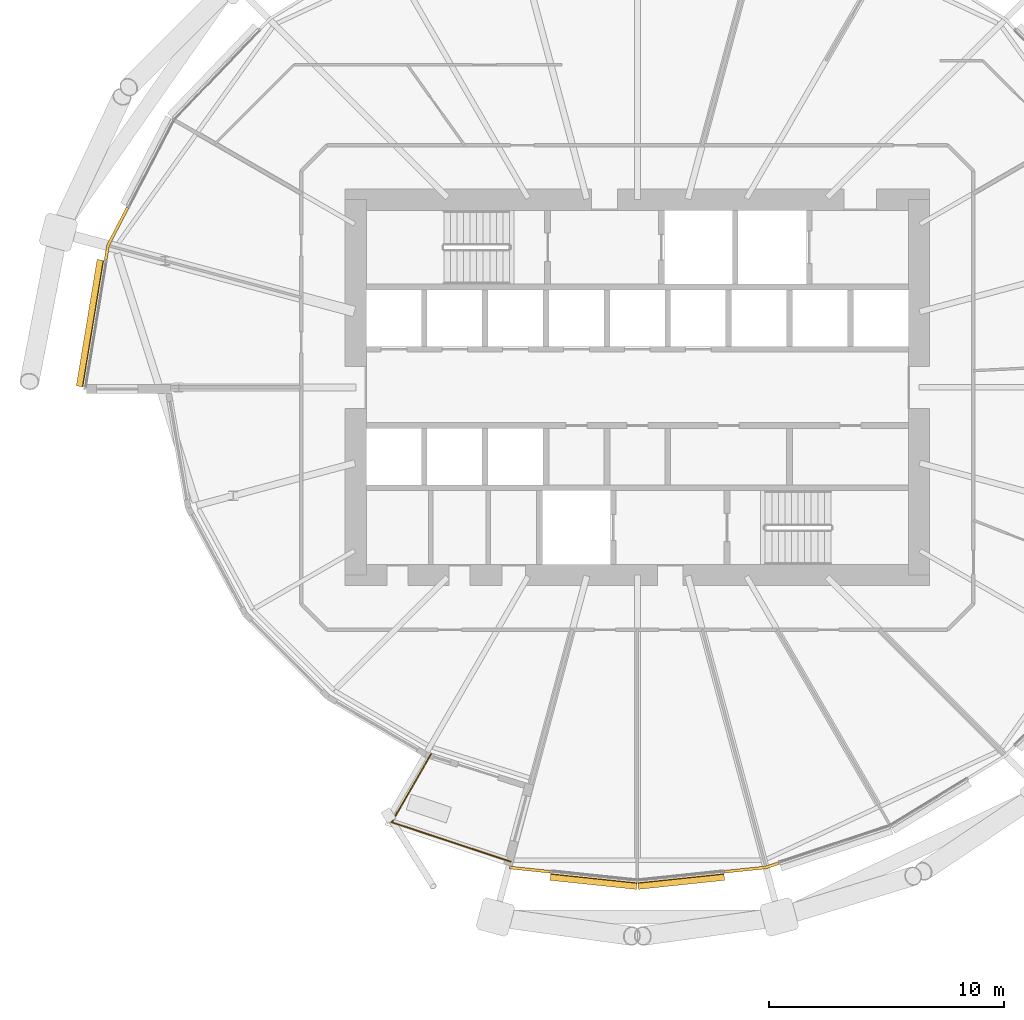
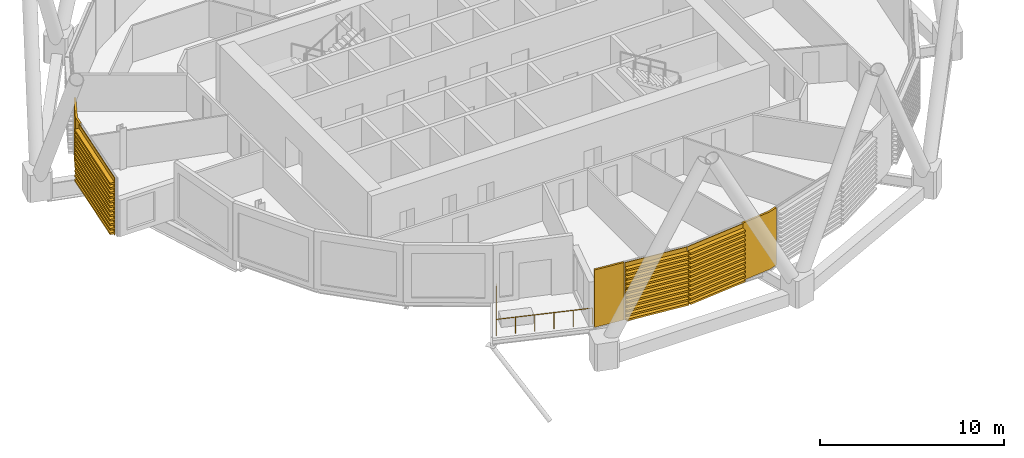
# One storey, part 29 of 36: 6 coverings, 1 railing.
"""IFC4 building model written with IfcOpenShell, lengths in metres."""

from ifc_helpers import new_model, si_unit, direction, frame, origin, origin_2d, place, context, subcontext, project, spatial, polyline, circle, outline, extrude, material, layer, layer_set, material_profile, profile_set, type_object, element, save


model = new_model("IFC4")

# Units and contexts
model_context = context("Model", 3, precision=1e-05, world=origin(), true_north=direction((0.0, 1.0)))
body_context = subcontext(model_context, "Body", "Model", "MODEL_VIEW")
ifc_project = project(units=[si_unit("LENGTHUNIT", "METRE"), si_unit("AREAUNIT", "SQUARE_METRE"), si_unit("VOLUMEUNIT", "CUBIC_METRE"), si_unit("PLANEANGLEUNIT", "RADIAN"), si_unit("MASSUNIT", "GRAM", prefix="KILO")], contexts=[model_context])

# Site, building, storey
site_placement = place(None, origin())
site = spatial("IfcSite", under=ifc_project, at=site_placement, CompositionType="ELEMENT")
building_placement = place(site_placement, origin())
building = spatial("IfcBuilding", under=site, at=building_placement, Name="Rimbun Link Towers", CompositionType="ELEMENT")
storey_placement = place(building_placement, frame((0.0, 0.0, 64.199951171875)))
storey = spatial("IfcBuildingStorey", under=building, at=storey_placement, Name="L15", CompositionType="ELEMENT", Elevation=64.199951171875)

# Railing
ifc_material_1 = material(Name="Stainless steel grade 316", Category="steel")
railing_type = type_object("IfcRailingType", Name="GUARD stainless rail and posts", PredefinedType="GUARDRAIL", material=ifc_material_1)
railing_placement = place(storey_placement, frame((-40.541748046875, -15.627685546875, 0.0)))
element("IfcRailing", 1, at=railing_placement, inside=storey, type_object=railing_type, Name="GUARD", PredefinedType="GUARDRAIL", context=body_context, shape_type="SweptSolid", body=[
    extrude(circle(Radius=0.02392578125, at=origin_2d()), frame((0.0, 0.0, 1.076171875), z_axis=(-0.499974444137, -0.866040157966, 0.0), x_axis=(0.866040157966, -0.499974444137, 0.0)), (0.0, 0.0, 1.0), 3.354736328125),
    extrude(circle(Radius=0.02392578125, at=origin_2d()), frame((-1.67724609375, -2.9052734375, 1.076171875), z_axis=(0.949244534879, -0.314539048453, 0.0), x_axis=(0.314539048453, 0.949244534879, 0.0)), (0.0, 0.0, 1.0), 5.336181640625),
    extrude(circle(Radius=0.02099609375, at=origin_2d()), origin(), (0.0, 0.0, 1.0), 1.052001953125),
    extrude(circle(Radius=0.02099609375, at=origin_2d()), frame((-0.55908203125, -0.968505859375, 0.0)), (0.0, 0.0, 1.0), 1.052001953125),
    extrude(circle(Radius=0.02099609375, at=origin_2d()), frame((-1.1181640625, -1.936767578125, 0.0)), (0.0, 0.0, 1.0), 1.052001953125),
    extrude(circle(Radius=0.02099609375, at=origin_2d()), frame((-1.67724609375, -2.9052734375, 0.0)), (0.0, 0.0, 1.0), 1.052001953125),
    extrude(circle(Radius=0.02099609375, at=origin_2d()), frame((-0.6640625, -3.240966796875, 0.0)), (0.0, 0.0, 1.0), 1.052001953125),
    extrude(circle(Radius=0.02099609375, at=origin_2d()), frame((0.348876953125, -3.57666015625, 0.0)), (0.0, 0.0, 1.0), 1.052001953125),
    extrude(circle(Radius=0.02099609375, at=origin_2d()), frame((1.362060546875, -3.912353515625, 0.0)), (0.0, 0.0, 1.0), 1.052001953125),
    extrude(circle(Radius=0.02099609375, at=origin_2d()), frame((2.375, -4.248046875, 0.0)), (0.0, 0.0, 1.0), 1.052001953125),
    extrude(circle(Radius=0.02099609375, at=origin_2d()), frame((3.38818359375, -4.583740234375, 0.0)), (0.0, 0.0, 1.0), 1.052001953125),
])

# Coverings
ifc_material_2 = material(Name="Terracotta", Category="masonry")
ifc_layer = layer(ifc_material_2, 0.1201171875)
ifc_layer_set = layer_set([ifc_layer], Name="LINK PIER terracotta cladding 120")
covering_type_1 = type_object("IfcCoveringType", Name="LINK PIER terracotta cladding 120", PredefinedType="CLADDING", material=ifc_layer_set)
covering_1_placement = place(storey_placement, origin())
element("IfcCovering", 2, at=covering_1_placement, inside=storey, type_object=covering_type_1, Name="LINK PIER cladding", PredefinedType="CLADDING", context=body_context, shape_type="SweptSolid", body=[
    extrude(outline(polyline([(-54.353515625, 5.417724609375), (-54.252685546875, 6.029541015625), (-53.41650390625, 7.64599609375), (-53.52294921875, 7.701171875), (-54.3681640625, 6.06787109375), (-54.471923828125, 5.437255859375), (-54.353515625, 5.417724609375)])), origin(), (0.0, 0.0, 1.0), 3.800048828125),
])
covering_2_placement = place(storey_placement, origin())
element("IfcCovering", 3, at=covering_2_placement, inside=storey, type_object=covering_type_1, Name="LINK PIER cladding", PredefinedType="CLADDING", context=body_context, shape_type="SweptSolid", body=[
    extrude(outline(polyline([(-35.456298828125, -20.586669921875), (-37.186767578125, -20.404541015625), (-37.19921875, -20.523681640625), (-35.46875, -20.7060546875), (-35.456298828125, -20.586669921875)])), origin(), (0.0, 0.0, 1.0), 3.800048828125),
])
covering_3_placement = place(storey_placement, origin())
element("IfcCovering", 4, at=covering_3_placement, inside=storey, type_object=covering_type_1, Name="LINK PIER cladding", PredefinedType="CLADDING", context=body_context, shape_type="SweptSolid", body=[
    extrude(outline(polyline([(-25.742431640625, -20.221923828125), (-26.283447265625, -20.4013671875), (-28.043701171875, -20.586669921875), (-28.03125, -20.7060546875), (-26.258056640625, -20.519287109375), (-25.70458984375, -20.3359375), (-25.742431640625, -20.221923828125)])), origin(), (0.0, 0.0, 1.0), 3.800048828125),
])
ifc_material_3 = material(Name="Terracotta", Category="masonry")
ifc_material_profile = material_profile(ifc_material_3, outline(polyline([(0.123046875, 0.0), (0.1630859375, 0.0), (0.1630859375, 0.10009765625), (0.423095703125, 0.10009765625), (0.423095703125, 0.219970703125), (0.1630859375, 0.219970703125), (0.1630859375, 0.39990234375), (0.423095703125, 0.39990234375), (0.423095703125, 0.52001953125), (0.1630859375, 0.52001953125), (0.1630859375, 0.699951171875), (0.423095703125, 0.699951171875), (0.423095703125, 0.820068359375), (0.1630859375, 0.820068359375), (0.1630859375, 1.0), (0.423095703125, 1.0), (0.423095703125, 1.1201171875), (0.1630859375, 1.1201171875), (0.1630859375, 1.300048828125), (0.423095703125, 1.300048828125), (0.423095703125, 1.419921875), (0.1630859375, 1.419921875), (0.1630859375, 1.60009765625), (0.423095703125, 1.60009765625), (0.423095703125, 1.719970703125), (0.1630859375, 1.719970703125), (0.1630859375, 1.89990234375), (0.423095703125, 1.89990234375), (0.423095703125, 2.02001953125), (0.1630859375, 2.02001953125), (0.1630859375, 2.199951171875), (0.423095703125, 2.199951171875), (0.423095703125, 2.320068359375), (0.1630859375, 2.320068359375), (0.1630859375, 2.5), (0.423095703125, 2.5), (0.423095703125, 2.6201171875), (0.1630859375, 2.6201171875), (0.1630859375, 2.800048828125), (0.423095703125, 2.800048828125), (0.423095703125, 2.919921875), (0.1630859375, 2.919921875), (0.1630859375, 3.10009765625), (0.423095703125, 3.10009765625), (0.423095703125, 3.219970703125), (0.1630859375, 3.219970703125), (0.1630859375, 3.39990234375), (0.423095703125, 3.39990234375), (0.423095703125, 3.52001953125), (0.1630859375, 3.52001953125), (0.1630859375, 3.800048828125), (0.123046875, 3.800048828125), (0.123046875, 0.0)])), Name="BAGUETTE 120X300")
ifc_profile_set = profile_set([ifc_material_profile], Name="Terracotta")
covering_type_2 = type_object("IfcCoveringType", Name="TERRACOTTA BAGUETTE 120X300 H3800", PredefinedType="CLADDING", material=ifc_profile_set)
covering_4_placement = place(storey_placement, frame((-55.244384765625, 0.0, 0.0), z_axis=(0.162296051621, 0.98674210999, 0.0), x_axis=(-0.98674210999, 0.162296051621, 0.0)))
element("IfcCovering", 5, at=covering_4_placement, inside=storey, type_object=covering_type_2, Name="TERRACOTTA BAGUETTE", PredefinedType="CLADDING", context=body_context, shape_type="SweptSolid", body=[
    extrude(outline(polyline([(0.123046875, 0.0), (0.1630859375, 0.0), (0.1630859375, 0.10009765625), (0.423095703125, 0.10009765625), (0.423095703125, 0.219970703125), (0.1630859375, 0.219970703125), (0.1630859375, 0.39990234375), (0.423095703125, 0.39990234375), (0.423095703125, 0.52001953125), (0.1630859375, 0.52001953125), (0.1630859375, 0.699951171875), (0.423095703125, 0.699951171875), (0.423095703125, 0.820068359375), (0.1630859375, 0.820068359375), (0.1630859375, 1.0), (0.423095703125, 1.0), (0.423095703125, 1.1201171875), (0.1630859375, 1.1201171875), (0.1630859375, 1.300048828125), (0.423095703125, 1.300048828125), (0.423095703125, 1.419921875), (0.1630859375, 1.419921875), (0.1630859375, 1.60009765625), (0.423095703125, 1.60009765625), (0.423095703125, 1.719970703125), (0.1630859375, 1.719970703125), (0.1630859375, 1.89990234375), (0.423095703125, 1.89990234375), (0.423095703125, 2.02001953125), (0.1630859375, 2.02001953125), (0.1630859375, 2.199951171875), (0.423095703125, 2.199951171875), (0.423095703125, 2.320068359375), (0.1630859375, 2.320068359375), (0.1630859375, 2.5), (0.423095703125, 2.5), (0.423095703125, 2.6201171875), (0.1630859375, 2.6201171875), (0.1630859375, 2.800048828125), (0.423095703125, 2.800048828125), (0.423095703125, 2.919921875), (0.1630859375, 2.919921875), (0.1630859375, 3.10009765625), (0.423095703125, 3.10009765625), (0.423095703125, 3.219970703125), (0.1630859375, 3.219970703125), (0.1630859375, 3.39990234375), (0.423095703125, 3.39990234375), (0.423095703125, 3.52001953125), (0.1630859375, 3.52001953125), (0.1630859375, 3.800048828125), (0.123046875, 3.800048828125), (0.123046875, 0.0)])), origin(), (0.0, 0.0, 1.0), 5.460693359375),
])
for number, where, z_axis, x_axis, name in (
    (6, (-31.75, -20.97705078125, 0.0), (-0.994499661573, 0.104739787719, 0.0), (-0.104739787719, -0.994499661573, 0.0), "TERRACOTTA BAGUETTE"),
    (7, (-28.073486328125, -20.58984375, 0.0), (-0.994499661573, -0.104739787719, 0.0), (0.104739787719, -0.994499661573, 0.0), "TERRACOTTA BAGUETTE"),
):
    element("IfcCovering", number, at=place(storey_placement, frame(where, z_axis=z_axis, x_axis=x_axis)), inside=storey, type_object=covering_type_2, Name=name, PredefinedType="CLADDING", context=body_context, shape_type="SweptSolid", body=[
        extrude(outline(polyline([(0.123046875, 0.0), (0.1630859375, 0.0), (0.1630859375, 0.10009765625), (0.423095703125, 0.10009765625), (0.423095703125, 0.219970703125), (0.1630859375, 0.219970703125), (0.1630859375, 0.39990234375), (0.423095703125, 0.39990234375), (0.423095703125, 0.52001953125), (0.1630859375, 0.52001953125), (0.1630859375, 0.699951171875), (0.423095703125, 0.699951171875), (0.423095703125, 0.820068359375), (0.1630859375, 0.820068359375), (0.1630859375, 1.0), (0.423095703125, 1.0), (0.423095703125, 1.1201171875), (0.1630859375, 1.1201171875), (0.1630859375, 1.300048828125), (0.423095703125, 1.300048828125), (0.423095703125, 1.419921875), (0.1630859375, 1.419921875), (0.1630859375, 1.60009765625), (0.423095703125, 1.60009765625), (0.423095703125, 1.719970703125), (0.1630859375, 1.719970703125), (0.1630859375, 1.89990234375), (0.423095703125, 1.89990234375), (0.423095703125, 2.02001953125), (0.1630859375, 2.02001953125), (0.1630859375, 2.199951171875), (0.423095703125, 2.199951171875), (0.423095703125, 2.320068359375), (0.1630859375, 2.320068359375), (0.1630859375, 2.5), (0.423095703125, 2.5), (0.423095703125, 2.6201171875), (0.1630859375, 2.6201171875), (0.1630859375, 2.800048828125), (0.423095703125, 2.800048828125), (0.423095703125, 2.919921875), (0.1630859375, 2.919921875), (0.1630859375, 3.10009765625), (0.423095703125, 3.10009765625), (0.423095703125, 3.219970703125), (0.1630859375, 3.219970703125), (0.1630859375, 3.39990234375), (0.423095703125, 3.39990234375), (0.423095703125, 3.52001953125), (0.1630859375, 3.52001953125), (0.1630859375, 3.800048828125), (0.123046875, 3.800048828125), (0.123046875, 0.0)])), origin(), (0.0, 0.0, 1.0), 3.69677734375),
    ])

save(model, "model.ifc")
